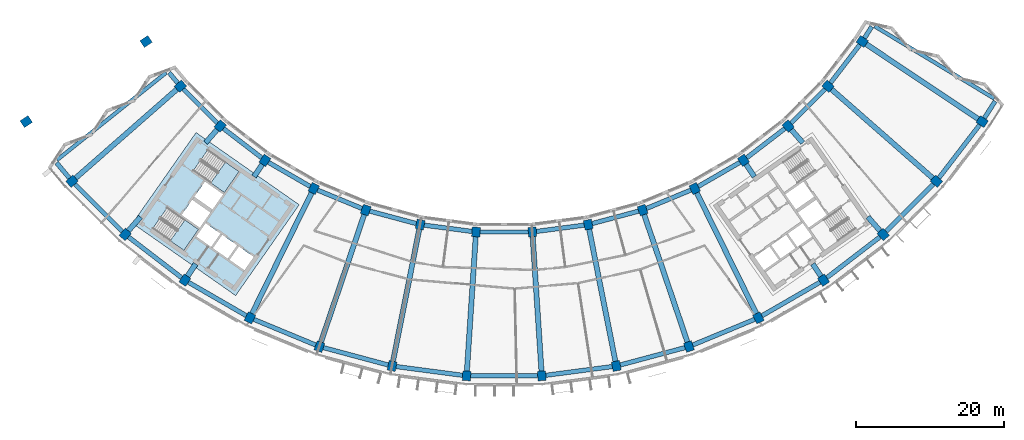
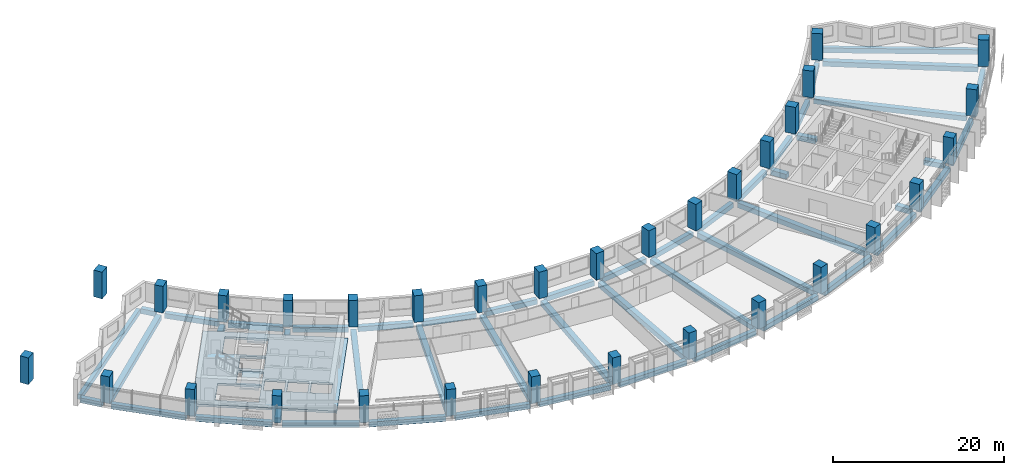
# One storey, part 1 of 27: 53 beams, 32 columns, 3 slabs, 2 elements without a shape of their own.
"""IFC4 building model written with IfcOpenShell, lengths in metres."""

from ifc_helpers import new_model, si_unit, direction, frame, origin, origin_2d, place, context, subcontext, project, spatial, polyline, rectangle, outline, extrude, material, layer, layer_set, material_profile, profile_set, type_object, element, aggregate, save


model = new_model("IFC4")

# Units and contexts
model_context = context("Model", 3, precision=1e-05, world=origin(), true_north=direction((0.0, 1.0)))
body_context = subcontext(model_context, "Body", "Model", "MODEL_VIEW")
ifc_project = project(units=[si_unit("LENGTHUNIT", "METRE"), si_unit("AREAUNIT", "SQUARE_METRE"), si_unit("VOLUMEUNIT", "CUBIC_METRE"), si_unit("PLANEANGLEUNIT", "RADIAN"), si_unit("MASSUNIT", "GRAM", prefix="KILO")], contexts=[model_context])

# Site, building, storey
site_placement = place(None, origin())
site = spatial("IfcSite", under=ifc_project, at=site_placement, CompositionType="ELEMENT")
building_placement = place(site_placement, origin())
building = spatial("IfcBuilding", under=site, at=building_placement, Name="Qamariyya Broadcast Tower", CompositionType="ELEMENT")
storey_placement = place(building_placement, frame((0.0, 0.0, 191.10009765625)))
storey = spatial("IfcBuildingStorey", under=building, at=storey_placement, Name="L45", CompositionType="ELEMENT", Elevation=191.10009765625)

# Columns
ifc_material_1 = material(Name="Concrete C60/75", Category="concrete")
ifc_material_profile_1 = material_profile(ifc_material_1, rectangle(XDim=1.10009765625, YDim=1.300048828125, at=origin_2d()))
ifc_profile_set_1 = profile_set([ifc_material_profile_1], Name="Concrete C60/75")
column_type = type_object("IfcColumnType", Name="RC column 1100 x 1300 C60/75", PredefinedType="COLUMN", material=ifc_profile_set_1)
for number, where, z_axis, x_axis, name in (
    (1, (-43.794677734375, -38.406982421875, 0.0), (0.0, 0.0, 1.0), (0.6593458151, -0.751839807479, 0.0), "Column C8 L45 B-R04"),
    (2, (-58.45556640625, -51.26416015625, 0.0), (0.0, 0.0, 1.0), (0.6593458151, -0.751839807479, 0.0), "Column C8 L45 C-R04"),
    (3, (-38.406982421875, -43.794677734375, 0.0), (0.0, 0.0, 1.0), (0.751839807479, -0.6593458151, 0.0), "Column C8 L45 B-R05"),
    (4, (-51.26416015625, -58.45556640625, 0.0), (0.0, 0.0, 1.0), (0.751839807479, -0.6593458151, 0.0), "Column C8 L45 C-R05"),
    (5, (-32.362060546875, -48.43310546875, 0.0), (0.0, 0.0, 1.0), (0.831469612303, -0.55557023302, 0.0), "Column C8 L45 B-R06"),
    (6, (-43.195556640625, -64.646728515625, 0.0), (0.0, 0.0, 1.0), (0.831469612303, -0.55557023302, 0.0), "Column C8 L45 C-R06"),
    (7, (-25.763427734375, -52.242919921875, 0.0), (0.0, 0.0, 1.0), (0.896872741533, -0.442288690219, 0.0), "Column C8 L45 B-R07"),
    (8, (-34.387939453125, -69.73193359375, 0.0), (0.0, 0.0, 1.0), (0.896872741533, -0.442288690219, 0.0), "Column C8 L45 C-R07"),
    (9, (-18.723876953125, -55.15869140625, 0.0), (0.0, 0.0, 1.0), (0.946930129495, -0.321439465303, 0.0), "Column C8 L45 B-R08"),
    (10, (-24.991943359375, -73.623779296875, 0.0), (0.0, 0.0, 1.0), (0.946930129495, -0.321439465303, 0.0), "Column C8 L45 C-R08"),
    (11, (-11.364013671875, -57.130859375, 0.0), (0.0, 0.0, 1.0), (0.980785280403, -0.195090322016, 0.0), "Column C8 L45 B-R09"),
    (12, (-15.168212890625, -76.256103515625, 0.0), (0.0, 0.0, 1.0), (0.980785280403, -0.195090322016, 0.0), "Column C8 L45 C-R09"),
    (13, (-3.809814453125, -58.125244140625, 0.0), (0.0, 0.0, 1.0), (0.997858923239, -0.06540312923, 0.0), "Column C8 L45 B-R10"),
    (14, (-5.085205078125, -77.58349609375, 0.0), (0.0, 0.0, 1.0), (0.997858923239, -0.06540312923, 0.0), "Column C8 L45 C-R10"),
    (15, (3.809814453125, -58.125244140625, 0.0), (0.0, 0.0, 1.0), (0.997858923239, 0.06540312923, 0.0), "Column C8 L45 B-R11"),
    (16, (5.085205078125, -77.58349609375, 0.0), (0.0, 0.0, 1.0), (0.997858923239, 0.06540312923, 0.0), "Column C8 L45 C-R11"),
    (17, (11.364013671875, -57.130859375, 0.0), (0.0, 0.0, 1.0), (0.980785280403, 0.195090322016, 0.0), "Column C8 L45 B-R12"),
    (18, (15.168212890625, -76.256103515625, 0.0), (0.0, 0.0, 1.0), (0.980785280403, 0.195090322016, 0.0), "Column C8 L45 C-R12"),
    (19, (18.723876953125, -55.15869140625, 0.0), (0.0, 0.0, 1.0), (0.946930129495, 0.321439465303, 0.0), "Column C8 L45 B-R13"),
    (20, (24.991943359375, -73.623779296875, 0.0), (0.0, 0.0, 1.0), (0.946930129495, 0.321439465303, 0.0), "Column C8 L45 C-R13"),
    (21, (25.763427734375, -52.242919921875, 0.0), (0.0, 0.0, 1.0), (0.896872741533, 0.442288690219, 0.0), "Column C8 L45 B-R14"),
    (22, (34.387939453125, -69.73193359375, 0.0), (0.0, 0.0, 1.0), (0.896872741533, 0.442288690219, 0.0), "Column C8 L45 C-R14"),
    (23, (32.362060546875, -48.43310546875, 0.0), (0.0, 0.0, 1.0), (0.831469612303, 0.55557023302, 0.0), "Column C8 L45 B-R15"),
    (24, (43.195556640625, -64.646728515625, 0.0), (0.0, 0.0, 1.0), (0.831469612303, 0.55557023302, 0.0), "Column C8 L45 C-R15"),
    (25, (38.406982421875, -43.794677734375, 0.0), (0.0, 0.0, 1.0), (0.751839807479, 0.6593458151, 0.0), "Column C8 L45 B-R16"),
    (26, (51.26416015625, -58.45556640625, 0.0), (0.0, 0.0, 1.0), (0.751839807479, 0.6593458151, 0.0), "Column C8 L45 C-R16"),
    (27, (43.794677734375, -38.406982421875, 0.0), (0.0, 0.0, 1.0), (0.6593458151, 0.751839807479, 0.0), "Column C8 L45 B-R17"),
    (28, (58.45556640625, -51.26416015625, 0.0), (0.0, 0.0, 1.0), (0.6593458151, 0.751839807479, 0.0), "Column C8 L45 C-R17"),
    (29, (48.43310546875, -32.362060546875, 0.0), (0.0, 0.0, 1.0), (0.55557023302, 0.831469612303, 0.0), "Column C8 L45 B-R18"),
    (30, (64.646728515625, -43.195556640625, 0.0), (0.0, 0.0, 1.0), (0.55557023302, 0.831469612303, 0.0), "Column C8 L45 C-R18"),
    (31, (-48.43310546875, -32.362060546875, 0.0), (0.0, 0.0, 1.0), (0.55557023302, -0.831469612303, 0.0), "Column C8 L45 B-R03"),
    (32, (-64.646728515625, -43.195556640625, 0.0), (0.0, 0.0, 1.0), (0.55557023302, -0.831469612303, 0.0), "Column C8 L45 C-R03"),
):
    element("IfcColumn", number, at=place(storey_placement, frame(where, z_axis=z_axis, x_axis=x_axis)), inside=storey, type_object=column_type, Name=name, PredefinedType="COLUMN", context=body_context, shape_type="SweptSolid", body=[
        extrude(rectangle(XDim=1.10009765625, YDim=1.300048828125, at=origin_2d()), origin(), (0.0, 0.0, 1.0), 3.7998046875),
    ])

# Beams
ifc_material_2 = material(Name="Concrete C40/50", Category="concrete")
ifc_material_profile_2 = material_profile(ifc_material_2, rectangle(XDim=0.60009765625, YDim=0.699951171875, at=origin_2d()))
ifc_profile_set_2 = profile_set([ifc_material_profile_2], Name="Concrete C40/50")
beam_type_1 = type_object("IfcBeamType", Name="RC edge beam 600 x 700 C40/50", PredefinedType="SPANDREL", material=ifc_profile_set_2)
for number, where, z_axis, x_axis, name in (
    (33, (-43.405029296875, -38.796630859375, -0.650146484375), (0.707106781187, -0.707106781187, 0.0), (0.707106781187, 0.707106781187, 0.0), "Edge beam B20 L45 B R04-R05"),
    (34, (-37.9697265625, -44.130126953125, -0.650146484375), (0.793343406719, -0.608774374473, 0.0), (0.608774374473, 0.793343406719, 0.0), "Edge beam B20 L45 B R05-R06"),
):
    element("IfcBeam", number, at=place(storey_placement, frame(where, z_axis=z_axis, x_axis=x_axis)), inside=storey, type_object=beam_type_1, Name=name, PredefinedType="SPANDREL", context=body_context, shape_type="SweptSolid", body=[
        extrude(rectangle(XDim=0.60009765625, YDim=0.699951171875, at=origin_2d()), origin(), (0.0, 0.0, 1.0), 6.517333984375),
    ])
beam_1_placement = place(storey_placement, frame((-31.884521484375, -48.708740234375, -0.650146484375), z_axis=(0.866019015165, -0.500011065251, 0.0), x_axis=(0.500011065251, 0.866019015165, 0.0)))
element("IfcBeam", 35, at=beam_1_placement, inside=storey, type_object=beam_type_1, Name="Edge beam B20 L45 B R06-R07", PredefinedType="SPANDREL", context=body_context, shape_type="SweptSolid", body=[
    extrude(rectangle(XDim=0.60009765625, YDim=0.699951171875, at=origin_2d()), origin(), (0.0, 0.0, 1.0), 6.516845703125),
])
for number, where, z_axis, x_axis, name in (
    (36, (-25.254150390625, -52.453857421875, -0.650146484375), (0.923883967792, -0.382672724475, 0.0), (0.382672724475, 0.923883967792, 0.0), "Edge beam B20 L45 B R07-R08"),
    (37, (-18.19140625, -55.30126953125, -0.650146484375), (0.965923971679, -0.258825966504, 0.0), (0.258825966504, 0.965923971679, 0.0), "Edge beam B20 L45 B R08-R09"),
    (38, (-10.817626953125, -57.20263671875, -0.650146484375), (0.991446388377, -0.130514592953, 0.0), (0.130514592953, 0.991446388377, 0.0), "Edge beam B20 L45 B R09-R10"),
    (39, (-3.258544921875, -58.125244140625, -0.650146484375), (1.0, 0.0, 0.0), (0.0, 1.0, 0.0), "Edge beam B20 L45 B R10-R11"),
    (40, (4.356201171875, -58.05322265625, -0.650146484375), (0.991446388377, 0.130514592953, 0.0), (-0.130514592953, 0.991446388377, 0.0), "Edge beam B20 L45 B R11-R12"),
    (41, (11.896484375, -56.988037109375, -0.650146484375), (0.965923971679, 0.258825966504, 0.0), (-0.258825966504, 0.965923971679, 0.0), "Edge beam B20 L45 B R12-R13"),
    (42, (19.233154296875, -54.94775390625, -0.650146484375), (0.923883967792, 0.382672724475, 0.0), (-0.382672724475, 0.923883967792, 0.0), "Edge beam B20 L45 B R13-R14"),
):
    element("IfcBeam", number, at=place(storey_placement, frame(where, z_axis=z_axis, x_axis=x_axis)), inside=storey, type_object=beam_type_1, Name=name, PredefinedType="SPANDREL", context=body_context, shape_type="SweptSolid", body=[
        extrude(rectangle(XDim=0.60009765625, YDim=0.699951171875, at=origin_2d()), origin(), (0.0, 0.0, 1.0), 6.51708984375),
    ])
beam_2_placement = place(storey_placement, frame((26.24072265625, -51.96728515625, -0.650146484375), z_axis=(0.866019015165, 0.500011065251, 0.0), x_axis=(-0.500011065251, 0.866019015165, 0.0)))
element("IfcBeam", 43, at=beam_2_placement, inside=storey, type_object=beam_type_1, Name="Edge beam B20 L45 B R14-R15", PredefinedType="SPANDREL", context=body_context, shape_type="SweptSolid", body=[
    extrude(rectangle(XDim=0.60009765625, YDim=0.699951171875, at=origin_2d()), origin(), (0.0, 0.0, 1.0), 6.516845703125),
])
for number, where, z_axis, x_axis, name in (
    (44, (32.79931640625, -48.09765625, -0.650146484375), (0.793343406719, 0.608774374473, 0.0), (-0.608774374473, 0.793343406719, 0.0), "Edge beam B20 L45 B R15-R16"),
    (45, (38.796630859375, -43.405029296875, -0.650146484375), (0.707106781187, 0.707106781187, 0.0), (-0.707106781187, 0.707106781187, 0.0), "Edge beam B20 L45 B R16-R17"),
    (46, (44.130126953125, -37.9697265625, -0.650146484375), (0.608774374473, 0.793343406719, 0.0), (-0.793343406719, 0.608774374473, 0.0), "Edge beam B20 L45 B R17-R18"),
):
    element("IfcBeam", number, at=place(storey_placement, frame(where, z_axis=z_axis, x_axis=x_axis)), inside=storey, type_object=beam_type_1, Name=name, PredefinedType="SPANDREL", context=body_context, shape_type="SweptSolid", body=[
        extrude(rectangle(XDim=0.60009765625, YDim=0.699951171875, at=origin_2d()), origin(), (0.0, 0.0, 1.0), 6.517333984375),
    ])
beam_3_placement = place(storey_placement, frame((-58.06591796875, -51.65380859375, -0.650146484375), z_axis=(0.707106781187, -0.707106781187, 0.0), x_axis=(0.707106781187, 0.707106781187, 0.0)))
element("IfcBeam", 47, at=beam_3_placement, inside=storey, type_object=beam_type_1, Name="Edge beam B20 L45 C R04-R05", PredefinedType="SPANDREL", context=body_context, shape_type="SweptSolid", body=[
    extrude(rectangle(XDim=0.60009765625, YDim=0.699951171875, at=origin_2d()), origin(), (0.0, 0.0, 1.0), 9.068115234375),
])
for number, where, z_axis, x_axis, name in (
    (48, (-50.826904296875, -58.791015625, -0.650146484375), (0.793351056372, -0.608764405458, 0.0), (0.608764405458, 0.793351056372, 0.0), "Edge beam B20 L45 C R05-R06"),
    (49, (-42.71826171875, -64.92236328125, -0.650146484375), (0.866025972227, -0.499999015427, 0.0), (0.499999015427, 0.866025972227, 0.0), "Edge beam B20 L45 C R06-R07"),
):
    element("IfcBeam", number, at=place(storey_placement, frame(where, z_axis=z_axis, x_axis=x_axis)), inside=storey, type_object=beam_type_1, Name=name, PredefinedType="SPANDREL", context=body_context, shape_type="SweptSolid", body=[
        extrude(rectangle(XDim=0.60009765625, YDim=0.699951171875, at=origin_2d()), origin(), (0.0, 0.0, 1.0), 9.06787109375),
    ])
beam_4_placement = place(storey_placement, frame((-33.878662109375, -69.94287109375, -0.650146484375), z_axis=(0.923882618409, -0.382675982265, 0.0), x_axis=(0.382675982265, 0.923882618409, 0.0)))
element("IfcBeam", 50, at=beam_4_placement, inside=storey, type_object=beam_type_1, Name="Edge beam B20 L45 C R07-R08", PredefinedType="SPANDREL", context=body_context, shape_type="SweptSolid", body=[
    extrude(rectangle(XDim=0.60009765625, YDim=0.699951171875, at=origin_2d()), origin(), (0.0, 0.0, 1.0), 9.067626953125),
])
for number, where, z_axis, x_axis, name in (
    (51, (-24.45947265625, -73.766357421875, -0.650146484375), (0.965925457615, -0.258820421007, 0.0), (0.258820421007, 0.965925457615, 0.0), "Edge beam B20 L45 C R08-R09"),
    (52, (-14.621826171875, -76.327880859375, -0.650146484375), (0.991444762322, -0.130526944594, 0.0), (0.130526944594, 0.991444762322, 0.0), "Edge beam B20 L45 C R09-R10"),
    (53, (-4.533935546875, -77.58349609375, -0.650146484375), (1.0, 0.0, 0.0), (0.0, 1.0, 0.0), "Edge beam B20 L45 C R10-R11"),
    (54, (5.631591796875, -77.511474609375, -0.650146484375), (0.991444762322, 0.130526944594, 0.0), (-0.130526944594, 0.991444762322, 0.0), "Edge beam B20 L45 C R11-R12"),
    (55, (15.70068359375, -76.11328125, -0.650146484375), (0.965925457615, 0.258820421007, 0.0), (-0.258820421007, 0.965925457615, 0.0), "Edge beam B20 L45 C R12-R13"),
):
    element("IfcBeam", number, at=place(storey_placement, frame(where, z_axis=z_axis, x_axis=x_axis)), inside=storey, type_object=beam_type_1, Name=name, PredefinedType="SPANDREL", context=body_context, shape_type="SweptSolid", body=[
        extrude(rectangle(XDim=0.60009765625, YDim=0.699951171875, at=origin_2d()), origin(), (0.0, 0.0, 1.0), 9.06787109375),
    ])
beam_5_placement = place(storey_placement, frame((25.501220703125, -73.412841796875, -0.650146484375), z_axis=(0.923882618409, 0.382675982265, 0.0), x_axis=(-0.382675982265, 0.923882618409, 0.0)))
element("IfcBeam", 56, at=beam_5_placement, inside=storey, type_object=beam_type_1, Name="Edge beam B20 L45 C R13-R14", PredefinedType="SPANDREL", context=body_context, shape_type="SweptSolid", body=[
    extrude(rectangle(XDim=0.60009765625, YDim=0.699951171875, at=origin_2d()), origin(), (0.0, 0.0, 1.0), 9.067626953125),
])
for number, where, z_axis, x_axis, name in (
    (57, (34.865234375, -69.456298828125, -0.650146484375), (0.866025972227, 0.499999015427, 0.0), (-0.499999015427, 0.866025972227, 0.0), "Edge beam B20 L45 C R14-R15"),
    (58, (43.6328125, -64.311279296875, -0.650146484375), (0.793351056372, 0.608764405458, 0.0), (-0.608764405458, 0.793351056372, 0.0), "Edge beam B20 L45 C R15-R16"),
):
    element("IfcBeam", number, at=place(storey_placement, frame(where, z_axis=z_axis, x_axis=x_axis)), inside=storey, type_object=beam_type_1, Name=name, PredefinedType="SPANDREL", context=body_context, shape_type="SweptSolid", body=[
        extrude(rectangle(XDim=0.60009765625, YDim=0.699951171875, at=origin_2d()), origin(), (0.0, 0.0, 1.0), 9.06787109375),
    ])
beam_6_placement = place(storey_placement, frame((51.65380859375, -58.06591796875, -0.650146484375), z_axis=(0.707106781187, 0.707106781187, 0.0), x_axis=(-0.707106781187, 0.707106781187, 0.0)))
element("IfcBeam", 59, at=beam_6_placement, inside=storey, type_object=beam_type_1, Name="Edge beam B20 L45 C R16-R17", PredefinedType="SPANDREL", context=body_context, shape_type="SweptSolid", body=[
    extrude(rectangle(XDim=0.60009765625, YDim=0.699951171875, at=origin_2d()), origin(), (0.0, 0.0, 1.0), 9.068115234375),
])
beam_7_placement = place(storey_placement, frame((58.791015625, -50.826904296875, -0.650146484375), z_axis=(0.608764405458, 0.793351056372, 0.0), x_axis=(-0.793351056372, 0.608764405458, 0.0)))
element("IfcBeam", 60, at=beam_7_placement, inside=storey, type_object=beam_type_1, Name="Edge beam B20 L45 C R17-R18", PredefinedType="SPANDREL", context=body_context, shape_type="SweptSolid", body=[
    extrude(rectangle(XDim=0.60009765625, YDim=0.699951171875, at=origin_2d()), origin(), (0.0, 0.0, 1.0), 9.06787109375),
])
ifc_material_profile_3 = material_profile(ifc_material_2, rectangle(XDim=0.60009765625, YDim=0.699951171875, at=origin_2d()))
ifc_profile_set_3 = profile_set([ifc_material_profile_3], Name="Concrete C40/50")
beam_type_2 = type_object("IfcBeamType", Name="RC horn beam 600 x 700 C40/50", PredefinedType="BEAM", material=ifc_profile_set_3)
beam_8_placement = place(storey_placement, frame((-44.14794921875, -37.985107421875, -0.650146484375), z_axis=(-0.642238897624, 0.766504532523, 0.0), x_axis=(-0.766504532523, -0.642238897624, 0.0)))
element("IfcBeam", 61, at=beam_8_placement, inside=storey, type_object=beam_type_2, Name="Horn beam B19 L45 W B-R04", PredefinedType="BEAM", context=body_context, shape_type="SweptSolid", body=[
    extrude(rectangle(XDim=0.60009765625, YDim=0.699951171875, at=origin_2d()), origin(), (0.0, 0.0, 1.0), 1.8330078125),
])
beam_9_placement = place(storey_placement, frame((-58.808837890625, -50.842529296875, -0.650146484375), z_axis=(-0.642172729665, 0.766559968479, 0.0), x_axis=(-0.766559968479, -0.642172729665, 0.0)))
element("IfcBeam", 62, at=beam_9_placement, inside=storey, type_object=beam_type_2, Name="Horn beam B19 L45 W C-R04", PredefinedType="BEAM", context=body_context, shape_type="SweptSolid", body=[
    extrude(rectangle(XDim=0.60009765625, YDim=0.699951171875, at=origin_2d()), origin(), (0.0, 0.0, 1.0), 2.714599609375),
])
beam_10_placement = place(storey_placement, frame((48.728271484375, -31.897705078125, -0.650146484375), z_axis=(0.536651388608, 0.843804057293, 0.0), x_axis=(-0.843804057293, 0.536651388608, 0.0)))
element("IfcBeam", 63, at=beam_10_placement, inside=storey, type_object=beam_type_2, Name="Horn beam B19 L45 E B-R18", PredefinedType="BEAM", context=body_context, shape_type="SweptSolid", body=[
    extrude(rectangle(XDim=0.60009765625, YDim=0.699951171875, at=origin_2d()), origin(), (0.0, 0.0, 1.0), 1.8330078125),
])
beam_11_placement = place(storey_placement, frame((64.94189453125, -42.7314453125, -0.650146484375), z_axis=(0.536660152512, 0.84379848347, 0.0), x_axis=(-0.84379848347, 0.536660152512, 0.0)))
element("IfcBeam", 64, at=beam_11_placement, inside=storey, type_object=beam_type_2, Name="Horn beam B19 L45 E C-R18", PredefinedType="BEAM", context=body_context, shape_type="SweptSolid", body=[
    extrude(rectangle(XDim=0.60009765625, YDim=0.699951171875, at=origin_2d()), origin(), (0.0, 0.0, 1.0), 2.714599609375),
])
ifc_material_profile_4 = material_profile(ifc_material_2, rectangle(XDim=0.5, YDim=0.699951171875, at=origin_2d()))
ifc_profile_set_4 = profile_set([ifc_material_profile_4], Name="Concrete C40/50")
beam_type_3 = type_object("IfcBeamType", Name="RC horn cap beam 500 x 700 C40/50", PredefinedType="BEAM", material=ifc_profile_set_4)
beam_12_placement = place(storey_placement, frame((-45.719970703125, -36.575927734375, -0.650146484375), z_axis=(-0.780868809443, -0.624695047554, 0.0), x_axis=(0.624695047554, -0.780868809443, 0.0)))
element("IfcBeam", 65, at=beam_12_placement, inside=storey, type_object=beam_type_3, Name="Horn cap beam B21 L45 W B-C", PredefinedType="BEAM", context=body_context, shape_type="SweptSolid", body=[
    extrude(rectangle(XDim=0.5, YDim=0.699951171875, at=origin_2d()), origin(), (0.0, 0.0, 1.0), 18.89990234375),
])
beam_13_placement = place(storey_placement, frame((50.102783203125, -30.295166015625, -0.650146484375), z_axis=(0.85572466791, -0.517431437709, 0.0), x_axis=(0.517431437709, 0.85572466791, 0.0)))
element("IfcBeam", 66, at=beam_13_placement, inside=storey, type_object=beam_type_3, Name="Horn cap beam B21 L45 E B-C", PredefinedType="BEAM", context=body_context, shape_type="SweptSolid", body=[
    extrude(rectangle(XDim=0.5, YDim=0.699951171875, at=origin_2d()), origin(), (0.0, 0.0, 1.0), 18.900146484375),
])
ifc_material_profile_5 = material_profile(ifc_material_2, rectangle(XDim=0.699951171875, YDim=0.699951171875, at=origin_2d()))
ifc_profile_set_5 = profile_set([ifc_material_profile_5], Name="Concrete C40/50")
beam_type_4 = type_object("IfcBeamType", Name="RC radial beam 700 x 700 C40/50", PredefinedType="BEAM", material=ifc_profile_set_5)
beam_14_placement = place(storey_placement, frame((-44.283447265625, -38.83544921875, -0.650146484375), z_axis=(-0.751839141307, -0.659346574723, 0.0), x_axis=(0.659346574723, -0.751839141307, 0.0)))
element("IfcBeam", 67, at=beam_14_placement, inside=storey, type_object=beam_type_4, Name="Radial beam B18 L45 R04 B-C", PredefinedType="BEAM", context=body_context, shape_type="SweptSolid", body=[
    extrude(rectangle(XDim=0.699951171875, YDim=0.699951171875, at=origin_2d()), origin(), (0.0, 0.0, 1.0), 18.199951171875),
])
beam_15_placement = place(storey_placement, frame((-38.83544921875, -44.283447265625, -0.650146484375), z_axis=(-0.659381501846, -0.751808509544, 0.0), x_axis=(0.751808509544, -0.659381501846, 0.0)))
element("IfcBeam", 68, at=beam_15_placement, inside=storey, type_object=beam_type_4, Name="Radial beam B18 L45 R05 B-C", PredefinedType="BEAM", context=body_context, shape_type="SweptSolid", body=[
    extrude(rectangle(XDim=0.699951171875, YDim=0.699951171875, at=origin_2d()), origin(), (0.0, 0.0, 1.0), 2.364013671875),
])
beam_16_placement = place(storey_placement, frame((-49.1943359375, -56.095458984375, -0.650146484375), z_axis=(-0.659344451764, -0.75184100309, 0.0), x_axis=(0.75184100309, -0.659344451764, 0.0)))
element("IfcBeam", 69, at=beam_16_placement, inside=storey, type_object=beam_type_4, Name="Radial beam B18 L45 R05 B-C", PredefinedType="BEAM", context=body_context, shape_type="SweptSolid", body=[
    extrude(rectangle(XDim=0.699951171875, YDim=0.699951171875, at=origin_2d()), origin(), (0.0, 0.0, 1.0), 2.489013671875),
])
beam_17_placement = place(storey_placement, frame((-32.72314453125, -48.9736328125, -0.650146484375), z_axis=(-0.555594913414, -0.83145312086, 0.0), x_axis=(0.83145312086, -0.555594913414, 0.0)))
element("IfcBeam", 70, at=beam_17_placement, inside=storey, type_object=beam_type_4, Name="Radial beam B18 L45 R06 B-C", PredefinedType="BEAM", context=body_context, shape_type="SweptSolid", body=[
    extrude(rectangle(XDim=0.699951171875, YDim=0.699951171875, at=origin_2d()), origin(), (0.0, 0.0, 1.0), 2.014404296875),
])
beam_18_placement = place(storey_placement, frame((-41.733154296875, -62.458251953125, -0.650146484375), z_axis=(-0.555637861027, -0.831424420734, 0.0), x_axis=(0.831424420734, -0.555637861027, 0.0)))
element("IfcBeam", 71, at=beam_18_placement, inside=storey, type_object=beam_type_4, Name="Radial beam B18 L45 R06 B-C", PredefinedType="BEAM", context=body_context, shape_type="SweptSolid", body=[
    extrude(rectangle(XDim=0.699951171875, YDim=0.699951171875, at=origin_2d()), origin(), (0.0, 0.0, 1.0), 1.982177734375),
])
beam_19_placement = place(storey_placement, frame((-26.05078125, -52.82568359375, -0.650146484375), z_axis=(-0.44228110273, -0.896876483228, 0.0), x_axis=(0.896876483228, -0.44228110273, 0.0)))
element("IfcBeam", 72, at=beam_19_placement, inside=storey, type_object=beam_type_4, Name="Radial beam B18 L45 R07 B-C", PredefinedType="BEAM", context=body_context, shape_type="SweptSolid", body=[
    extrude(rectangle(XDim=0.699951171875, YDim=0.699951171875, at=origin_2d()), origin(), (0.0, 0.0, 1.0), 18.2001953125),
])
beam_20_placement = place(storey_placement, frame((-18.932861328125, -55.774169921875, -0.650146484375), z_axis=(-0.321434466477, -0.946931826353, 0.0), x_axis=(0.946931826353, -0.321434466477, 0.0)))
element("IfcBeam", 73, at=beam_20_placement, inside=storey, type_object=beam_type_4, Name="Radial beam B18 L45 R08 B-C", PredefinedType="BEAM", context=body_context, shape_type="SweptSolid", body=[
    extrude(rectangle(XDim=0.699951171875, YDim=0.699951171875, at=origin_2d()), origin(), (0.0, 0.0, 1.0), 18.199951171875),
])
beam_21_placement = place(storey_placement, frame((-11.49072265625, -57.768310546875, -0.650146484375), z_axis=(-0.195097061093, -0.980783939893, 0.0), x_axis=(0.980783939893, -0.195097061093, 0.0)))
element("IfcBeam", 74, at=beam_21_placement, inside=storey, type_object=beam_type_4, Name="Radial beam B18 L45 R09 B-C", PredefinedType="BEAM", context=body_context, shape_type="SweptSolid", body=[
    extrude(rectangle(XDim=0.699951171875, YDim=0.699951171875, at=origin_2d()), origin(), (0.0, 0.0, 1.0), 18.2001953125),
])
for number, where, z_axis, x_axis, name in (
    (75, (-3.852294921875, -58.77392578125, -0.650146484375), (-0.065395361188, -0.997859432353, 0.0), (0.997859432353, -0.065395361188, 0.0), "Radial beam B18 L45 R10 B-C"),
    (76, (3.852294921875, -58.77392578125, -0.650146484375), (0.065395361188, -0.997859432353, 0.0), (0.997859432353, 0.065395361188, 0.0), "Radial beam B18 L45 R11 B-C"),
):
    element("IfcBeam", number, at=place(storey_placement, frame(where, z_axis=z_axis, x_axis=x_axis)), inside=storey, type_object=beam_type_4, Name=name, PredefinedType="BEAM", context=body_context, shape_type="SweptSolid", body=[
        extrude(rectangle(XDim=0.699951171875, YDim=0.699951171875, at=origin_2d()), origin(), (0.0, 0.0, 1.0), 18.199951171875),
    ])
beam_22_placement = place(storey_placement, frame((11.49072265625, -57.768310546875, -0.650146484375), z_axis=(0.195097061093, -0.980783939893, 0.0), x_axis=(0.980783939893, 0.195097061093, 0.0)))
element("IfcBeam", 77, at=beam_22_placement, inside=storey, type_object=beam_type_4, Name="Radial beam B18 L45 R12 B-C", PredefinedType="BEAM", context=body_context, shape_type="SweptSolid", body=[
    extrude(rectangle(XDim=0.699951171875, YDim=0.699951171875, at=origin_2d()), origin(), (0.0, 0.0, 1.0), 18.2001953125),
])
beam_23_placement = place(storey_placement, frame((18.932861328125, -55.774169921875, -0.650146484375), z_axis=(0.321434466477, -0.946931826353, 0.0), x_axis=(0.946931826353, 0.321434466477, 0.0)))
element("IfcBeam", 78, at=beam_23_placement, inside=storey, type_object=beam_type_4, Name="Radial beam B18 L45 R13 B-C", PredefinedType="BEAM", context=body_context, shape_type="SweptSolid", body=[
    extrude(rectangle(XDim=0.699951171875, YDim=0.699951171875, at=origin_2d()), origin(), (0.0, 0.0, 1.0), 18.199951171875),
])
beam_24_placement = place(storey_placement, frame((26.05078125, -52.82568359375, -0.650146484375), z_axis=(0.44228110273, -0.896876483228, 0.0), x_axis=(0.896876483228, 0.44228110273, 0.0)))
element("IfcBeam", 79, at=beam_24_placement, inside=storey, type_object=beam_type_4, Name="Radial beam B18 L45 R14 B-C", PredefinedType="BEAM", context=body_context, shape_type="SweptSolid", body=[
    extrude(rectangle(XDim=0.699951171875, YDim=0.699951171875, at=origin_2d()), origin(), (0.0, 0.0, 1.0), 18.2001953125),
])
beam_25_placement = place(storey_placement, frame((32.72314453125, -48.9736328125, -0.650146484375), z_axis=(0.555594913414, -0.83145312086, 0.0), x_axis=(0.83145312086, 0.555594913414, 0.0)))
element("IfcBeam", 80, at=beam_25_placement, inside=storey, type_object=beam_type_4, Name="Radial beam B18 L45 R15 B-C", PredefinedType="BEAM", context=body_context, shape_type="SweptSolid", body=[
    extrude(rectangle(XDim=0.699951171875, YDim=0.699951171875, at=origin_2d()), origin(), (0.0, 0.0, 1.0), 2.014404296875),
])
beam_26_placement = place(storey_placement, frame((41.733154296875, -62.458251953125, -0.650146484375), z_axis=(0.555637861027, -0.831424420734, 0.0), x_axis=(0.831424420734, 0.555637861027, 0.0)))
element("IfcBeam", 81, at=beam_26_placement, inside=storey, type_object=beam_type_4, Name="Radial beam B18 L45 R15 B-C", PredefinedType="BEAM", context=body_context, shape_type="SweptSolid", body=[
    extrude(rectangle(XDim=0.699951171875, YDim=0.699951171875, at=origin_2d()), origin(), (0.0, 0.0, 1.0), 1.982177734375),
])
beam_27_placement = place(storey_placement, frame((38.83544921875, -44.283447265625, -0.650146484375), z_axis=(0.659381501846, -0.751808509544, 0.0), x_axis=(0.751808509544, 0.659381501846, 0.0)))
element("IfcBeam", 82, at=beam_27_placement, inside=storey, type_object=beam_type_4, Name="Radial beam B18 L45 R16 B-C", PredefinedType="BEAM", context=body_context, shape_type="SweptSolid", body=[
    extrude(rectangle(XDim=0.699951171875, YDim=0.699951171875, at=origin_2d()), origin(), (0.0, 0.0, 1.0), 2.364013671875),
])
beam_28_placement = place(storey_placement, frame((49.1943359375, -56.095458984375, -0.650146484375), z_axis=(0.659344451764, -0.75184100309, 0.0), x_axis=(0.75184100309, 0.659344451764, 0.0)))
element("IfcBeam", 83, at=beam_28_placement, inside=storey, type_object=beam_type_4, Name="Radial beam B18 L45 R16 B-C", PredefinedType="BEAM", context=body_context, shape_type="SweptSolid", body=[
    extrude(rectangle(XDim=0.699951171875, YDim=0.699951171875, at=origin_2d()), origin(), (0.0, 0.0, 1.0), 2.489013671875),
])
beam_29_placement = place(storey_placement, frame((44.283447265625, -38.83544921875, -0.650146484375), z_axis=(0.751839141307, -0.659346574723, 0.0), x_axis=(0.659346574723, 0.751839141307, 0.0)))
element("IfcBeam", 84, at=beam_29_placement, inside=storey, type_object=beam_type_4, Name="Radial beam B18 L45 R17 B-C", PredefinedType="BEAM", context=body_context, shape_type="SweptSolid", body=[
    extrude(rectangle(XDim=0.699951171875, YDim=0.699951171875, at=origin_2d()), origin(), (0.0, 0.0, 1.0), 18.199951171875),
])
beam_30_placement = place(storey_placement, frame((48.9736328125, -32.72314453125, -0.650146484375), z_axis=(0.831467855631, -0.555572862056, 0.0), x_axis=(0.555572862056, 0.831467855631, 0.0)))
element("IfcBeam", 85, at=beam_30_placement, inside=storey, type_object=beam_type_4, Name="Radial beam B18 L45 R18 B-C", PredefinedType="BEAM", context=body_context, shape_type="SweptSolid", body=[
    extrude(rectangle(XDim=0.699951171875, YDim=0.699951171875, at=origin_2d()), origin(), (0.0, 0.0, 1.0), 18.19970703125),
])

# Slab
ifc_layer_1 = layer(ifc_material_2, 0.300048828125)
ifc_layer_set_1 = layer_set([ifc_layer_1], Name="Core floor slab 300 mm Concrete C40/50")
slab_type_1 = type_object("IfcSlabType", Name="Core floor slab 300 mm Concrete C40/50", PredefinedType="FLOOR", material=ifc_layer_set_1)
slab_1_placement = place(storey_placement, frame((0.0, 0.0, -0.300048828125)))
element("IfcSlab", 86, at=slab_1_placement, inside=storey, type_object=slab_type_1, Name="k-W-L45-slab", PredefinedType="FLOOR", context=body_context, shape_type="SweptSolid", body=[
    extrude(outline(polyline([(-50.286376953125, -56.95751953125), (-36.32373046875, -66.734375), (-27.719970703125, -54.447021484375), (-41.6826171875, -44.67041015625), (-50.286376953125, -56.95751953125)]), holes=[polyline([(-33.87353515625, -61.49169921875), (-35.88037109375, -60.08642578125), (-37.142333984375, -61.888427734375), (-35.13525390625, -63.293701171875), (-33.87353515625, -61.49169921875)]), polyline([(-36.126220703125, -59.914306640625), (-38.133056640625, -58.509033203125), (-39.394775390625, -60.311279296875), (-37.387939453125, -61.716552734375), (-36.126220703125, -59.914306640625)]), polyline([(-38.378662109375, -58.3369140625), (-40.3857421875, -56.931640625), (-41.6474609375, -58.73388671875), (-39.640625, -60.13916015625), (-38.378662109375, -58.3369140625)]), polyline([(-39.742431640625, -55.489990234375), (-42.199951171875, -53.769287109375), (-43.6337890625, -55.817138671875), (-41.17626953125, -57.537841796875), (-39.742431640625, -55.489990234375)]), polyline([(-39.45556640625, -55.080322265625), (-41.9130859375, -53.359619140625), (-40.47900390625, -51.311767578125), (-38.021728515625, -53.032470703125), (-39.45556640625, -55.080322265625)]), polyline([(-42.06103515625, -49.837890625), (-37.849609375, -52.78662109375), (-35.870849609375, -49.960693359375), (-40.082275390625, -47.01171875), (-42.06103515625, -49.837890625)]), polyline([(-47.538818359375, -57.66064453125), (-43.3271484375, -60.609619140625), (-41.348388671875, -57.783447265625), (-45.559814453125, -54.834716796875), (-47.538818359375, -57.66064453125)])]), origin(), (0.0, 0.0, 1.0), 0.300048828125),
])

# Stair, slab
ifc_material_3 = material(Name="Concrete C50/60", Category="concrete")
stair_type = type_object("IfcStairType", Name="Exit stair 22 risers of 173 mm", PredefinedType="HALF_TURN_STAIR", material=ifc_material_3)
stair_1_placement = place(storey_placement, origin())
stair_1 = element("IfcStair", 87, at=stair_1_placement, inside=storey, type_object=stair_type, Name="L45 Stair W2", PredefinedType="HALF_TURN_STAIR")
ifc_layer_2 = layer(ifc_material_3, 0.199951171875)
ifc_layer_set_2 = layer_set([ifc_layer_2], Name="Stair landing")
slab_type_2 = type_object("IfcSlabType", Name="Stair landing", PredefinedType="LANDING", material=ifc_layer_set_2)
slab_2_placement = place(storey_placement, frame((0.0, 0.0, 1.699951171875)))
slab_2 = element("IfcSlab", 88, at=slab_2_placement, type_object=slab_type_2, Name="ST-W2 landing 1", PredefinedType="LANDING", context=body_context, shape_type="SweptSolid", body=[
    extrude(outline(polyline([(-39.692138671875, -51.49658203125), (-37.849609375, -52.78662109375), (-35.870849609375, -49.960693359375), (-37.71337890625, -48.67041015625), (-39.692138671875, -51.49658203125)])), origin(), (0.0, 0.0, 1.0), 0.199951171875),
])
aggregate(stair_1, [slab_2])

stair_2_placement = place(storey_placement, origin())
stair_2 = element("IfcStair", 89, at=stair_2_placement, inside=storey, type_object=stair_type, Name="L45 Stair W1", PredefinedType="HALF_TURN_STAIR")
slab_3_placement = place(storey_placement, frame((0.0, 0.0, 1.699951171875)))
slab_3 = element("IfcSlab", 90, at=slab_3_placement, type_object=slab_type_2, Name="ST-W1 landing 1", PredefinedType="LANDING", context=body_context, shape_type="SweptSolid", body=[
    extrude(outline(polyline([(-45.169677734375, -59.319580078125), (-43.3271484375, -60.609619140625), (-41.348388671875, -57.783447265625), (-43.19091796875, -56.493408203125), (-45.169677734375, -59.319580078125)])), origin(), (0.0, 0.0, 1.0), 0.199951171875),
])
aggregate(stair_2, [slab_3])

save(model, "model.ifc")
